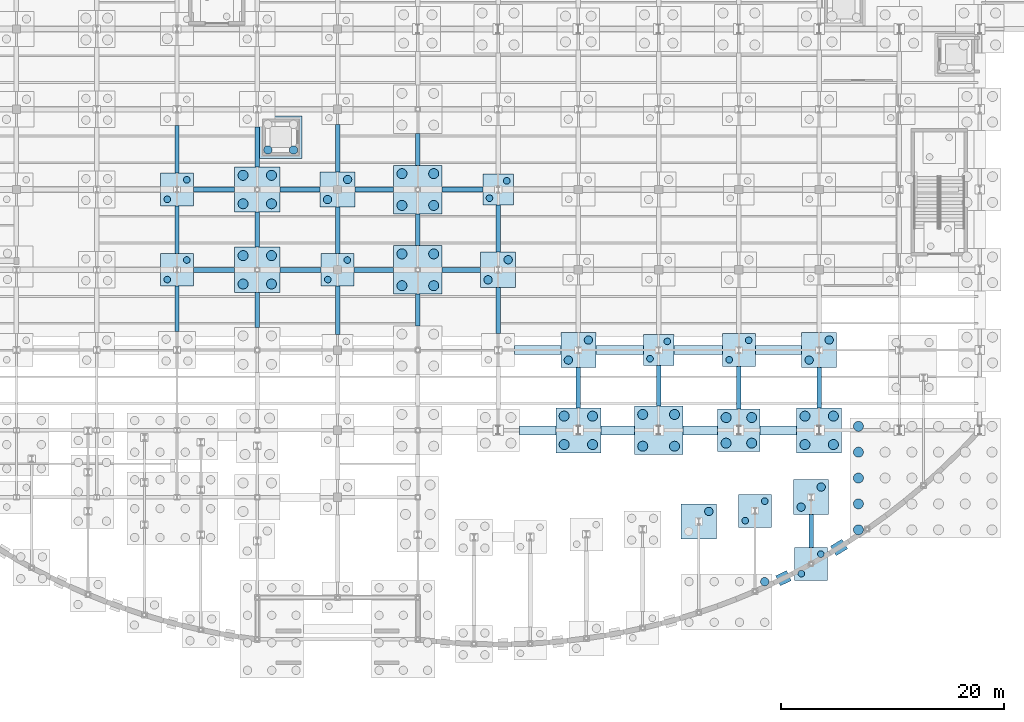
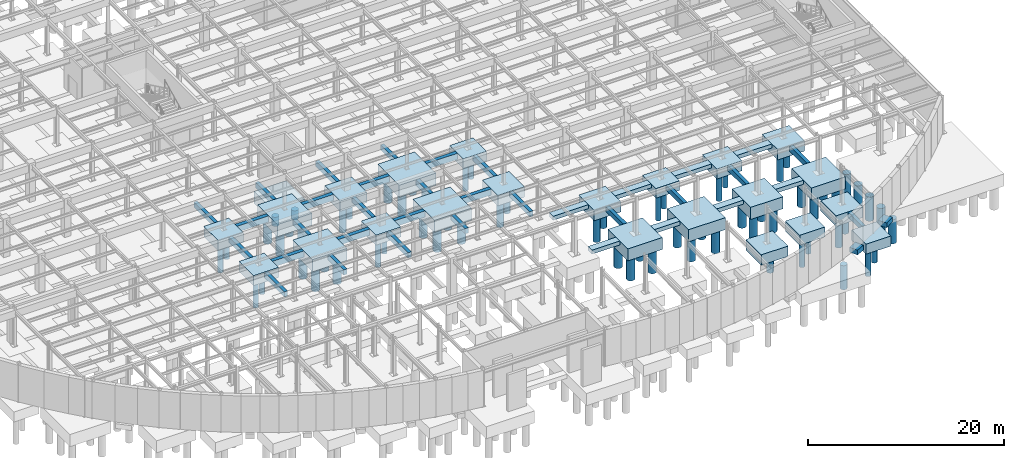
# One storey, part 5 of 64: 67 piles, 60 footings.
"""IFC4 building model written with IfcOpenShell, lengths in metres."""

from ifc_helpers import new_model, si_unit, direction, frame, origin, origin_2d, place, context, subcontext, project, spatial, rectangle, circle, extrude, material, material_profile, profile_set, type_object, element, save


model = new_model("IFC4")

# Units and contexts
model_context = context("Model", 3, precision=1e-05, world=origin(), true_north=direction((0.0, 1.0)))
body_context = subcontext(model_context, "Body", "Model", "MODEL_VIEW")
ifc_project = project(units=[si_unit("LENGTHUNIT", "METRE"), si_unit("AREAUNIT", "SQUARE_METRE"), si_unit("VOLUMEUNIT", "CUBIC_METRE"), si_unit("PLANEANGLEUNIT", "RADIAN"), si_unit("MASSUNIT", "GRAM", prefix="KILO")], contexts=[model_context])

# Site, building, storey
site_placement = place(None, origin())
site = spatial("IfcSite", under=ifc_project, at=site_placement, CompositionType="ELEMENT")
building_placement = place(site_placement, origin())
building = spatial("IfcBuilding", under=site, at=building_placement, Name="Solvadek Multi-Sports Hall", CompositionType="ELEMENT")
storey_placement = place(building_placement, frame((0.0, 0.0, -4.800048828125)))
storey = spatial("IfcBuildingStorey", under=building, at=storey_placement, Name="B1", CompositionType="ELEMENT", Elevation=-4.800048828125)

# Footings
ifc_material_1 = material(Name="Concrete M40", Category="concrete")
footing_type_1 = type_object("IfcFootingType", Name="STR-CAP-275X275X120", PredefinedType="PILE_CAP", material=ifc_material_1)
for number, where, z_axis, x_axis, name in (
    (1, (108.0, 13.199951171875, -1.19970703125), (0.0, 0.0, 1.0), (1.0, 0.0, 0.0), "Pile Cap PC-02 #58"),
    (2, (93.60009765625, 27.60009765625, -1.19970703125), (0.0, 0.0, 1.0), (1.0, 0.0, 0.0), "Pile Cap PC-02 #97"),
):
    element("IfcFooting", number, at=place(storey_placement, frame(where, z_axis=z_axis, x_axis=x_axis)), inside=storey, type_object=footing_type_1, Name=name, PredefinedType="PILE_CAP", context=body_context, shape_type="SweptSolid", body=[
        extrude(rectangle(XDim=2.75, YDim=2.75, at=origin_2d()), origin(), (0.0, 0.0, 1.0), 1.199951171875),
    ])
footing_type_2 = type_object("IfcFootingType", Name="STR-CAP-295X295X125", PredefinedType="PILE_CAP", material=ifc_material_1)
for number, where, z_axis, x_axis, name in (
    (3, (121.679931640625, -5.97802734375, -1.25), (0.0, 0.0, 1.0), (1.0, 0.0, 0.0), "Pile Cap PC-14 #13"),
    (4, (116.639892578125, -1.22265625, -1.25), (0.0, 0.0, 1.0), (1.0, 0.0, 0.0), "Pile Cap PC-14 #25"),
    (5, (115.199951171875, 13.199951171875, -1.25), (0.0, 0.0, 1.0), (1.0, 0.0, 0.0), "Pile Cap PC-14 #59"),
    (6, (64.800048828125, 20.39990234375, -1.25), (0.0, 0.0, 1.0), (1.0, 0.0, 0.0), "Pile Cap PC-14 #73"),
    (7, (79.199951171875, 20.39990234375, -1.25), (0.0, 0.0, 1.0), (1.0, 0.0, 0.0), "Pile Cap PC-14 #74"),
    (8, (64.800048828125, 27.60009765625, -1.25), (0.0, 0.0, 1.0), (1.0, 0.0, 0.0), "Pile Cap PC-14 #91"),
):
    element("IfcFooting", number, at=place(storey_placement, frame(where, z_axis=z_axis, x_axis=x_axis)), inside=storey, type_object=footing_type_2, Name=name, PredefinedType="PILE_CAP", context=body_context, shape_type="SweptSolid", body=[
        extrude(rectangle(XDim=2.949951171875, YDim=2.949951171875, at=origin_2d()), origin(), (0.0, 0.0, 1.0), 1.25),
    ])
footing_type_3 = type_object("IfcFootingType", Name="STR-CAP-315X315X130", PredefinedType="PILE_CAP", material=ifc_material_1)
for number, where, z_axis, x_axis, name in (
    (9, (111.60009765625, -2.17333984375, -1.2998046875), (0.0, 0.0, 1.0), (1.0, 0.0, 0.0), "Pile Cap PC-15 #23"),
    (10, (121.679931640625, 0.010986328125, -1.2998046875), (0.0, 0.0, 1.0), (1.0, 0.0, 0.0), "Pile Cap PC-15 #29"),
    (11, (100.800048828125, 13.199951171875, -1.2998046875), (0.0, 0.0, 1.0), (1.0, 0.0, 0.0), "Pile Cap PC-15 #57"),
    (12, (122.39990234375, 13.199951171875, -1.2998046875), (0.0, 0.0, 1.0), (1.0, 0.0, 0.0), "Pile Cap PC-15 #60"),
    (13, (93.60009765625, 20.39990234375, -1.2998046875), (0.0, 0.0, 1.0), (1.0, 0.0, 0.0), "Pile Cap PC-15 #75"),
    (14, (79.199951171875, 27.60009765625, -1.2998046875), (0.0, 0.0, 1.0), (1.0, 0.0, 0.0), "Pile Cap PC-15 #96"),
):
    element("IfcFooting", number, at=place(storey_placement, frame(where, z_axis=z_axis, x_axis=x_axis)), inside=storey, type_object=footing_type_3, Name=name, PredefinedType="PILE_CAP", context=body_context, shape_type="SweptSolid", body=[
        extrude(rectangle(XDim=3.14990234375, YDim=3.14990234375, at=origin_2d()), origin(), (0.0, 0.0, 1.0), 1.300048828125),
    ])
footing_type_4 = type_object("IfcFootingType", Name="STR-CAP-380X380X150", PredefinedType="PILE_CAP", material=ifc_material_1)
for number, where, z_axis, x_axis, name in (
    (15, (115.199951171875, 6.0, -1.5), (0.0, 0.0, 1.0), (1.0, 0.0, 0.0), "Pile Cap PC-06 #40"),
    (16, (74.10009765625, 32.300048828125, -3.349853515625), (0.0, 0.0, 1.0), (1.0, 0.0, 0.0), "Lift Pit Pile Cap #297"),
):
    element("IfcFooting", number, at=place(storey_placement, frame(where, z_axis=z_axis, x_axis=x_axis)), inside=storey, type_object=footing_type_4, Name=name, PredefinedType="PILE_CAP", context=body_context, shape_type="SweptSolid", body=[
        extrude(rectangle(XDim=3.800048828125, YDim=3.800048828125, at=origin_2d()), origin(), (0.0, 0.0, 1.0), 1.5),
    ])
footing_type_5 = type_object("IfcFootingType", Name="STR-CAP-405X405X150", PredefinedType="PILE_CAP", material=ifc_material_1)
for number, where, z_axis, x_axis, name in (
    (17, (100.800048828125, 6.0, -1.5), (0.0, 0.0, 1.0), (1.0, 0.0, 0.0), "Pile Cap PC-17 #38"),
    (18, (122.39990234375, 6.0, -1.5), (0.0, 0.0, 1.0), (1.0, 0.0, 0.0), "Pile Cap PC-17 #41"),
    (19, (72.0, 20.39990234375, -1.5), (0.0, 0.0, 1.0), (1.0, 0.0, 0.0), "Pile Cap PC-17 #62"),
    (20, (72.0, 27.60009765625, -1.5), (0.0, 0.0, 1.0), (1.0, 0.0, 0.0), "Pile Cap PC-17 #83"),
):
    element("IfcFooting", number, at=place(storey_placement, frame(where, z_axis=z_axis, x_axis=x_axis)), inside=storey, type_object=footing_type_5, Name=name, PredefinedType="PILE_CAP", context=body_context, shape_type="SweptSolid", body=[
        extrude(rectangle(XDim=4.050048828125, YDim=4.050048828125, at=origin_2d()), origin(), (0.0, 0.0, 1.0), 1.5),
    ])
footing_type_6 = type_object("IfcFootingType", Name="STR-CAP-435X435X150", PredefinedType="PILE_CAP", material=ifc_material_1)
for number, where, z_axis, x_axis, name in (
    (21, (108.0, 6.0, -1.5), (0.0, 0.0, 1.0), (1.0, 0.0, 0.0), "Pile Cap PC-18 #39"),
    (22, (86.39990234375, 20.39990234375, -1.5), (0.0, 0.0, 1.0), (1.0, 0.0, 0.0), "Pile Cap PC-18 #63"),
    (23, (86.39990234375, 27.60009765625, -1.5), (0.0, 0.0, 1.0), (1.0, 0.0, 0.0), "Pile Cap PC-18 #84"),
):
    element("IfcFooting", number, at=place(storey_placement, frame(where, z_axis=z_axis, x_axis=x_axis)), inside=storey, type_object=footing_type_6, Name=name, PredefinedType="PILE_CAP", context=body_context, shape_type="SweptSolid", body=[
        extrude(rectangle(XDim=4.35009765625, YDim=4.35009765625, at=origin_2d()), origin(), (0.0, 0.0, 1.0), 1.5),
    ])
footing_type_7 = type_object("IfcFootingType", Name="STR-FTB-400X650", PredefinedType="FOOTING_BEAM", material=ifc_material_1)
footing_1_placement = place(storey_placement, frame((64.800048828125, 16.887451171875, -0.64990234375), z_axis=(0.0, 0.0, 1.0), x_axis=(0.0, 1.0, 0.0)))
element("IfcFooting", 24, at=footing_1_placement, inside=storey, type_object=footing_type_7, Name="Foundation Beam FB-01 #316", PredefinedType="FOOTING_BEAM", context=body_context, shape_type="SweptSolid", body=[
    extrude(rectangle(XDim=4.074951171875, YDim=0.39990234375, at=origin_2d()), origin(), (0.0, 0.0, 1.0), 0.64990234375),
])
for number, where, z_axis, x_axis, name in (
    (25, (64.800048828125, 24.0, -0.64990234375), (0.0, 0.0, 1.0), (0.0, 1.0, 0.0), "Foundation Beam FB-01 #317"),
    (26, (64.800048828125, 31.199951171875, -0.64990234375), (0.0, 0.0, 1.0), (0.0, 1.0, 0.0), "Foundation Beam FB-01 #318"),
):
    element("IfcFooting", number, at=place(storey_placement, frame(where, z_axis=z_axis, x_axis=x_axis)), inside=storey, type_object=footing_type_7, Name=name, PredefinedType="FOOTING_BEAM", context=body_context, shape_type="SweptSolid", body=[
        extrude(rectangle(XDim=4.25, YDim=0.39990234375, at=origin_2d()), origin(), (0.0, 0.0, 1.0), 0.64990234375),
    ])
for number, where, z_axis, x_axis, name in (
    (27, (72.0, 16.800048828125, -0.64990234375), (0.0, 0.0, 1.0), (0.0, 1.0, 0.0), "Foundation Beam FB-01 #328"),
    (28, (72.0, 24.0, -0.64990234375), (0.0, 0.0, 1.0), (0.0, 1.0, 0.0), "Foundation Beam FB-01 #329"),
):
    element("IfcFooting", number, at=place(storey_placement, frame(where, z_axis=z_axis, x_axis=x_axis)), inside=storey, type_object=footing_type_7, Name=name, PredefinedType="FOOTING_BEAM", context=body_context, shape_type="SweptSolid", body=[
        extrude(rectangle(XDim=3.14990234375, YDim=0.39990234375, at=origin_2d()), origin(), (0.0, 0.0, 1.0), 0.64990234375),
    ])
footing_2_placement = place(storey_placement, frame((72.0, 31.425048828125, -0.64990234375), z_axis=(0.0, 0.0, 1.0), x_axis=(0.0, 1.0, 0.0)))
element("IfcFooting", 29, at=footing_2_placement, inside=storey, type_object=footing_type_7, Name="Foundation Beam FB-01 #330", PredefinedType="FOOTING_BEAM", context=body_context, shape_type="SweptSolid", body=[
    extrude(rectangle(XDim=3.60009765625, YDim=0.39990234375, at=origin_2d()), origin(), (0.0, 0.0, 1.0), 0.64990234375),
])
footing_3_placement = place(storey_placement, frame((79.199951171875, 16.75, -0.64990234375), z_axis=(0.0, 0.0, 1.0), x_axis=(0.0, 1.0, 0.0)))
element("IfcFooting", 30, at=footing_3_placement, inside=storey, type_object=footing_type_7, Name="Foundation Beam FB-01 #344", PredefinedType="FOOTING_BEAM", context=body_context, shape_type="SweptSolid", body=[
    extrude(rectangle(XDim=4.35009765625, YDim=0.39990234375, at=origin_2d()), origin(), (0.0, 0.0, 1.0), 0.64990234375),
])
footing_4_placement = place(storey_placement, frame((79.199951171875, 23.949951171875, -0.64990234375), z_axis=(0.0, 0.0, 1.0), x_axis=(0.0, 1.0, 0.0)))
element("IfcFooting", 31, at=footing_4_placement, inside=storey, type_object=footing_type_7, Name="Foundation Beam FB-01 #345", PredefinedType="FOOTING_BEAM", context=body_context, shape_type="SweptSolid", body=[
    extrude(rectangle(XDim=4.14990234375, YDim=0.39990234375, at=origin_2d()), origin(), (0.0, 0.0, 1.0), 0.64990234375),
])
footing_5_placement = place(storey_placement, frame((79.199951171875, 31.300048828125, -0.64990234375), z_axis=(0.0, 0.0, 1.0), x_axis=(0.0, 1.0, 0.0)))
element("IfcFooting", 32, at=footing_5_placement, inside=storey, type_object=footing_type_7, Name="Foundation Beam FB-01 #346", PredefinedType="FOOTING_BEAM", context=body_context, shape_type="SweptSolid", body=[
    extrude(rectangle(XDim=4.25, YDim=0.39990234375, at=origin_2d()), origin(), (0.0, 0.0, 1.0), 0.64990234375),
])
for number, where, z_axis, x_axis, name in (
    (33, (86.39990234375, 16.800048828125, -0.64990234375), (0.0, 0.0, 1.0), (0.0, 1.0, 0.0), "Foundation Beam FB-01 #357"),
    (34, (86.39990234375, 24.0, -0.64990234375), (0.0, 0.0, 1.0), (0.0, 1.0, 0.0), "Foundation Beam FB-01 #358"),
    (35, (86.39990234375, 31.199951171875, -0.64990234375), (0.0, 0.0, 1.0), (0.0, 1.0, 0.0), "Foundation Beam FB-01 #359"),
):
    element("IfcFooting", number, at=place(storey_placement, frame(where, z_axis=z_axis, x_axis=x_axis)), inside=storey, type_object=footing_type_7, Name=name, PredefinedType="FOOTING_BEAM", context=body_context, shape_type="SweptSolid", body=[
        extrude(rectangle(XDim=2.85009765625, YDim=0.39990234375, at=origin_2d()), origin(), (0.0, 0.0, 1.0), 0.64990234375),
    ])
footing_6_placement = place(storey_placement, frame((93.60009765625, 16.75, -0.64990234375), z_axis=(0.0, 0.0, 1.0), x_axis=(0.0, 1.0, 0.0)))
element("IfcFooting", 36, at=footing_6_placement, inside=storey, type_object=footing_type_7, Name="Foundation Beam FB-01 #372", PredefinedType="FOOTING_BEAM", context=body_context, shape_type="SweptSolid", body=[
    extrude(rectangle(XDim=4.14990234375, YDim=0.39990234375, at=origin_2d()), origin(), (0.0, 0.0, 1.0), 0.64990234375),
])
footing_7_placement = place(storey_placement, frame((93.60009765625, 24.10009765625, -0.64990234375), z_axis=(0.0, 0.0, 1.0), x_axis=(0.0, 1.0, 0.0)))
element("IfcFooting", 37, at=footing_7_placement, inside=storey, type_object=footing_type_7, Name="Foundation Beam FB-01 #373", PredefinedType="FOOTING_BEAM", context=body_context, shape_type="SweptSolid", body=[
    extrude(rectangle(XDim=4.25, YDim=0.39990234375, at=origin_2d()), origin(), (0.0, 0.0, 1.0), 0.64990234375),
])
footing_8_placement = place(storey_placement, frame((100.800048828125, 9.824951171875, -0.64990234375), z_axis=(0.0, 0.0, 1.0), x_axis=(0.0, 1.0, 0.0)))
element("IfcFooting", 38, at=footing_8_placement, inside=storey, type_object=footing_type_7, Name="Foundation Beam FB-01 #379", PredefinedType="FOOTING_BEAM", context=body_context, shape_type="SweptSolid", body=[
    extrude(rectangle(XDim=3.60009765625, YDim=0.39990234375, at=origin_2d()), origin(), (0.0, 0.0, 1.0), 0.64990234375),
])
footing_9_placement = place(storey_placement, frame((108.0, 10.0, -0.64990234375), z_axis=(0.0, 0.0, 1.0), x_axis=(0.0, 1.0, 0.0)))
element("IfcFooting", 39, at=footing_9_placement, inside=storey, type_object=footing_type_7, Name="Foundation Beam FB-01 #388", PredefinedType="FOOTING_BEAM", context=body_context, shape_type="SweptSolid", body=[
    extrude(rectangle(XDim=3.64990234375, YDim=0.39990234375, at=origin_2d()), origin(), (0.0, 0.0, 1.0), 0.64990234375),
])
footing_10_placement = place(storey_placement, frame((115.199951171875, 9.8125, -0.64990234375), z_axis=(0.0, 0.0, 1.0), x_axis=(0.0, 1.0, 0.0)))
element("IfcFooting", 40, at=footing_10_placement, inside=storey, type_object=footing_type_7, Name="Foundation Beam FB-01 #395", PredefinedType="FOOTING_BEAM", context=body_context, shape_type="SweptSolid", body=[
    extrude(rectangle(XDim=3.824951171875, YDim=0.39990234375, at=origin_2d()), origin(), (0.0, 0.0, 1.0), 0.64990234375),
])
footing_11_placement = place(storey_placement, frame((121.679931640625, -3.033447265625, -0.64990234375), z_axis=(0.0, 0.0, 1.0), x_axis=(0.0, 1.0, 0.0)))
element("IfcFooting", 41, at=footing_11_placement, inside=storey, type_object=footing_type_7, Name="Foundation Beam FB-01 #402", PredefinedType="FOOTING_BEAM", context=body_context, shape_type="SweptSolid", body=[
    extrude(rectangle(XDim=2.93896484375, YDim=0.39990234375, at=origin_2d()), origin(), (0.0, 0.0, 1.0), 0.64990234375),
])
footing_12_placement = place(storey_placement, frame((122.39990234375, 9.824951171875, -0.64990234375), z_axis=(0.0, 0.0, 1.0), x_axis=(0.0, 1.0, 0.0)))
element("IfcFooting", 42, at=footing_12_placement, inside=storey, type_object=footing_type_7, Name="Foundation Beam FB-01 #403", PredefinedType="FOOTING_BEAM", context=body_context, shape_type="SweptSolid", body=[
    extrude(rectangle(XDim=3.60009765625, YDim=0.39990234375, at=origin_2d()), origin(), (0.0, 0.0, 1.0), 0.64990234375),
])
footing_type_8 = type_object("IfcFootingType", Name="STR-FTB-450X750", PredefinedType="FOOTING_BEAM", material=ifc_material_1)
for number, where, z_axis, x_axis, name in (
    (43, (68.125, 20.39990234375, -0.75), (0.0, 0.0, 1.0), (1.0, 0.0, 0.0), "Foundation Beam FB-02 #27"),
    (44, (75.875, 20.39990234375, -0.75), (0.0, 0.0, 1.0), (1.0, 0.0, 0.0), "Foundation Beam FB-02 #28"),
):
    element("IfcFooting", number, at=place(storey_placement, frame(where, z_axis=z_axis, x_axis=x_axis)), inside=storey, type_object=footing_type_8, Name=name, PredefinedType="FOOTING_BEAM", context=body_context, shape_type="SweptSolid", body=[
        extrude(rectangle(XDim=3.699951171875, YDim=0.449951171875, at=origin_2d()), origin(), (0.0, 0.0, 1.0), 0.75),
    ])
footing_13_placement = place(storey_placement, frame((82.449951171875, 20.39990234375, -0.75), z_axis=(0.0, 0.0, 1.0), x_axis=(1.0, 0.0, 0.0)))
element("IfcFooting", 45, at=footing_13_placement, inside=storey, type_object=footing_type_8, Name="Foundation Beam FB-02 #29", PredefinedType="FOOTING_BEAM", context=body_context, shape_type="SweptSolid", body=[
    extrude(rectangle(XDim=3.550048828125, YDim=0.449951171875, at=origin_2d()), origin(), (0.0, 0.0, 1.0), 0.75),
])
footing_14_placement = place(storey_placement, frame((90.300048828125, 20.39990234375, -0.75), z_axis=(0.0, 0.0, 1.0), x_axis=(1.0, 0.0, 0.0)))
element("IfcFooting", 46, at=footing_14_placement, inside=storey, type_object=footing_type_8, Name="Foundation Beam FB-02 #30", PredefinedType="FOOTING_BEAM", context=body_context, shape_type="SweptSolid", body=[
    extrude(rectangle(XDim=3.449951171875, YDim=0.449951171875, at=origin_2d()), origin(), (0.0, 0.0, 1.0), 0.75),
])
footing_15_placement = place(storey_placement, frame((68.125, 27.60009765625, -0.75), z_axis=(0.0, 0.0, 1.0), x_axis=(1.0, 0.0, 0.0)))
element("IfcFooting", 47, at=footing_15_placement, inside=storey, type_object=footing_type_8, Name="Foundation Beam FB-02 #48", PredefinedType="FOOTING_BEAM", context=body_context, shape_type="SweptSolid", body=[
    extrude(rectangle(XDim=3.699951171875, YDim=0.449951171875, at=origin_2d()), origin(), (0.0, 0.0, 1.0), 0.75),
])
footing_16_placement = place(storey_placement, frame((75.824951171875, 27.60009765625, -0.75), z_axis=(0.0, 0.0, 1.0), x_axis=(1.0, 0.0, 0.0)))
element("IfcFooting", 48, at=footing_16_placement, inside=storey, type_object=footing_type_8, Name="Foundation Beam FB-02 #49", PredefinedType="FOOTING_BEAM", context=body_context, shape_type="SweptSolid", body=[
    extrude(rectangle(XDim=3.60009765625, YDim=0.449951171875, at=origin_2d()), origin(), (0.0, 0.0, 1.0), 0.75),
])
footing_17_placement = place(storey_placement, frame((82.5, 27.60009765625, -0.75), z_axis=(0.0, 0.0, 1.0), x_axis=(1.0, 0.0, 0.0)))
element("IfcFooting", 49, at=footing_17_placement, inside=storey, type_object=footing_type_8, Name="Foundation Beam FB-02 #50", PredefinedType="FOOTING_BEAM", context=body_context, shape_type="SweptSolid", body=[
    extrude(rectangle(XDim=3.449951171875, YDim=0.449951171875, at=origin_2d()), origin(), (0.0, 0.0, 1.0), 0.75),
])
footing_18_placement = place(storey_placement, frame((90.39990234375, 27.60009765625, -0.75), z_axis=(0.0, 0.0, 1.0), x_axis=(1.0, 0.0, 0.0)))
element("IfcFooting", 50, at=footing_18_placement, inside=storey, type_object=footing_type_8, Name="Foundation Beam FB-02 #51", PredefinedType="FOOTING_BEAM", context=body_context, shape_type="SweptSolid", body=[
    extrude(rectangle(XDim=3.64990234375, YDim=0.449951171875, at=origin_2d()), origin(), (0.0, 0.0, 1.0), 0.75),
])

# Piles
ifc_material_2 = material(Name="Concrete M35", Category="concrete")
ifc_material_profile_1 = material_profile(ifc_material_2, circle(Radius=0.300048828125, at=origin_2d()), Name="BORED PILE D600")
ifc_profile_set_1 = profile_set([ifc_material_profile_1], Name="Concrete M35")
pile_type_1 = type_object("IfcPileType", Name="STR-PILE-D600", PredefinedType="BORED", material=ifc_profile_set_1)
for number, where, z_axis, x_axis, name in (
    (51, (120.804931640625, -6.85302734375, -1.14990234375), (0.0, 0.0, -1.0), (1.0, 0.0, 0.0), "Bored Pile PL-600 #57"),
    (52, (122.554931640625, -5.10302734375, -1.14990234375), (0.0, 0.0, -1.0), (1.0, 0.0, 0.0), "Bored Pile PL-600 #58"),
    (53, (115.764892578125, -2.09765625, -1.14990234375), (0.0, 0.0, -1.0), (1.0, 0.0, 0.0), "Bored Pile PL-600 #131"),
    (54, (117.514892578125, -0.34765625, -1.14990234375), (0.0, 0.0, -1.0), (1.0, 0.0, 0.0), "Bored Pile PL-600 #132"),
):
    element("IfcPile", number, at=place(storey_placement, frame(where, z_axis=z_axis, x_axis=x_axis)), inside=storey, type_object=pile_type_1, Name=name, PredefinedType="BORED", context=body_context, shape_type="SweptSolid", body=[
        extrude(circle(Radius=0.300048828125, at=origin_2d()), origin(), (0.0, 0.0, 1.0), 3.25),
    ])
for number, where, z_axis, x_axis, name in (
    (55, (107.22509765625, 12.425048828125, -1.099853515625), (0.0, 0.0, -1.0), (1.0, 0.0, 0.0), "Bored Pile PL-600 #242"),
    (56, (108.77490234375, 13.97509765625, -1.099853515625), (0.0, 0.0, -1.0), (1.0, 0.0, 0.0), "Bored Pile PL-600 #243"),
):
    element("IfcPile", number, at=place(storey_placement, frame(where, z_axis=z_axis, x_axis=x_axis)), inside=storey, type_object=pile_type_1, Name=name, PredefinedType="BORED", context=body_context, shape_type="SweptSolid", body=[
        extrude(circle(Radius=0.300048828125, at=origin_2d()), origin(), (0.0, 0.0, 1.0), 3.300048828125),
    ])
for number, where, z_axis, x_axis, name in (
    (57, (114.324951171875, 12.324951171875, -1.14990234375), (0.0, 0.0, -1.0), (1.0, 0.0, 0.0), "Bored Pile PL-600 #244"),
    (58, (116.074951171875, 14.074951171875, -1.14990234375), (0.0, 0.0, -1.0), (1.0, 0.0, 0.0), "Bored Pile PL-600 #245"),
    (59, (63.925048828125, 19.52490234375, -1.14990234375), (0.0, 0.0, -1.0), (1.0, 0.0, 0.0), "Bored Pile PL-600 #286"),
    (60, (65.675048828125, 21.27490234375, -1.14990234375), (0.0, 0.0, -1.0), (1.0, 0.0, 0.0), "Bored Pile PL-600 #287"),
    (61, (78.324951171875, 19.52490234375, -1.14990234375), (0.0, 0.0, -1.0), (1.0, 0.0, 0.0), "Bored Pile PL-600 #288"),
    (62, (80.074951171875, 21.27490234375, -1.14990234375), (0.0, 0.0, -1.0), (1.0, 0.0, 0.0), "Bored Pile PL-600 #289"),
    (63, (63.925048828125, 26.72509765625, -1.14990234375), (0.0, 0.0, -1.0), (1.0, 0.0, 0.0), "Bored Pile PL-600 #332"),
    (64, (65.675048828125, 28.47509765625, -1.14990234375), (0.0, 0.0, -1.0), (1.0, 0.0, 0.0), "Bored Pile PL-600 #333"),
):
    element("IfcPile", number, at=place(storey_placement, frame(where, z_axis=z_axis, x_axis=x_axis)), inside=storey, type_object=pile_type_1, Name=name, PredefinedType="BORED", context=body_context, shape_type="SweptSolid", body=[
        extrude(circle(Radius=0.300048828125, at=origin_2d()), origin(), (0.0, 0.0, 1.0), 3.25),
    ])
for number, where, z_axis, x_axis, name in (
    (65, (92.824951171875, 26.824951171875, -1.099853515625), (0.0, 0.0, -1.0), (1.0, 0.0, 0.0), "Bored Pile PL-600 #344"),
    (66, (94.375, 28.375, -1.099853515625), (0.0, 0.0, -1.0), (1.0, 0.0, 0.0), "Bored Pile PL-600 #345"),
):
    element("IfcPile", number, at=place(storey_placement, frame(where, z_axis=z_axis, x_axis=x_axis)), inside=storey, type_object=pile_type_1, Name=name, PredefinedType="BORED", context=body_context, shape_type="SweptSolid", body=[
        extrude(circle(Radius=0.300048828125, at=origin_2d()), origin(), (0.0, 0.0, 1.0), 3.300048828125),
    ])
ifc_material_profile_2 = material_profile(ifc_material_2, circle(Radius=0.375, at=origin_2d()), Name="BORED PILE D750")
ifc_profile_set_2 = profile_set([ifc_material_profile_2], Name="Concrete M35")
pile_type_2 = type_object("IfcPileType", Name="STR-PILE-D750", PredefinedType="BORED", material=ifc_profile_set_2)
pile_placement = place(storey_placement, frame((117.514892578125, -7.57080078125, -1.39990234375), z_axis=(0.0, 0.0, -1.0), x_axis=(1.0, 0.0, 0.0)))
element("IfcPile", 67, at=pile_placement, inside=storey, type_object=pile_type_2, Name="Bored Pile PL-750 #48", PredefinedType="BORED", context=body_context, shape_type="SweptSolid", body=[
    extrude(circle(Radius=0.375, at=origin_2d()), origin(), (0.0, 0.0, 1.0), 3.0),
])
for number, where, z_axis, x_axis, name in (
    (68, (112.5, -1.273193359375, -1.199951171875), (0.0, 0.0, -1.0), (1.0, 0.0, 0.0), "Bored Pile PL-750 #124"),
    (69, (120.780029296875, -0.888916015625, -1.199951171875), (0.0, 0.0, -1.0), (1.0, 0.0, 0.0), "Bored Pile PL-750 #142"),
    (70, (122.580078125, 0.910888671875, -1.199951171875), (0.0, 0.0, -1.0), (1.0, 0.0, 0.0), "Bored Pile PL-750 #143"),
    (71, (99.89990234375, 12.300048828125, -1.199951171875), (0.0, 0.0, -1.0), (1.0, 0.0, 0.0), "Bored Pile PL-750 #240"),
    (72, (101.699951171875, 14.10009765625, -1.199951171875), (0.0, 0.0, -1.0), (1.0, 0.0, 0.0), "Bored Pile PL-750 #241"),
    (73, (121.5, 12.300048828125, -1.199951171875), (0.0, 0.0, -1.0), (1.0, 0.0, 0.0), "Bored Pile PL-750 #246"),
    (74, (123.300048828125, 14.10009765625, -1.199951171875), (0.0, 0.0, -1.0), (1.0, 0.0, 0.0), "Bored Pile PL-750 #247"),
    (75, (92.699951171875, 19.5, -1.199951171875), (0.0, 0.0, -1.0), (1.0, 0.0, 0.0), "Bored Pile PL-750 #290"),
    (76, (94.5, 21.300048828125, -1.199951171875), (0.0, 0.0, -1.0), (1.0, 0.0, 0.0), "Bored Pile PL-750 #291"),
    (77, (78.300048828125, 26.699951171875, -1.199951171875), (0.0, 0.0, -1.0), (1.0, 0.0, 0.0), "Bored Pile PL-750 #342"),
    (78, (80.10009765625, 28.5, -1.199951171875), (0.0, 0.0, -1.0), (1.0, 0.0, 0.0), "Bored Pile PL-750 #343"),
):
    element("IfcPile", number, at=place(storey_placement, frame(where, z_axis=z_axis, x_axis=x_axis)), inside=storey, type_object=pile_type_2, Name=name, PredefinedType="BORED", context=body_context, shape_type="SweptSolid", body=[
        extrude(circle(Radius=0.375, at=origin_2d()), origin(), (0.0, 0.0, 1.0), 3.199951171875),
    ])
for number, where, z_axis, x_axis, name in (
    (79, (72.949951171875, 31.14990234375, -3.25), (0.0, 0.0, -1.0), (1.0, 0.0, 0.0), "Lift Pit Bored Pile PL-750 #924"),
    (80, (75.25, 31.14990234375, -3.25), (0.0, 0.0, -1.0), (1.0, 0.0, 0.0), "Lift Pit Bored Pile PL-750 #925"),
):
    element("IfcPile", number, at=place(storey_placement, frame(where, z_axis=z_axis, x_axis=x_axis)), inside=storey, type_object=pile_type_2, Name=name, PredefinedType="BORED", context=body_context, shape_type="SweptSolid", body=[
        extrude(circle(Radius=0.375, at=origin_2d()), origin(), (0.0, 0.0, 1.0), 1.14990234375),
    ])
ifc_material_profile_3 = material_profile(ifc_material_2, circle(Radius=0.449951171875, at=origin_2d()), Name="BORED PILE D900")
ifc_profile_set_3 = profile_set([ifc_material_profile_3], Name="Concrete M35")
pile_type_3 = type_object("IfcPileType", Name="STR-PILE-D900", PredefinedType="BORED", material=ifc_profile_set_3)
for number, where, z_axis, x_axis, name in (
    (81, (125.919921875, -2.918701171875, -1.39990234375), (0.0, 0.0, -1.0), (1.0, 0.0, 0.0), "Bored Pile PL-900 #93"),
    (82, (125.919921875, -0.5986328125, -1.39990234375), (0.0, 0.0, -1.0), (1.0, 0.0, 0.0), "Bored Pile PL-900 #94"),
    (83, (125.919921875, 1.721435546875, -1.39990234375), (0.0, 0.0, -1.0), (1.0, 0.0, 0.0), "Bored Pile PL-900 #95"),
    (84, (125.919921875, 4.04150390625, -1.39990234375), (0.0, 0.0, -1.0), (1.0, 0.0, 0.0), "Bored Pile PL-900 #96"),
    (85, (125.919921875, 6.361328125, -1.39990234375), (0.0, 0.0, -1.0), (1.0, 0.0, 0.0), "Bored Pile PL-900 #97"),
    (86, (99.52490234375, 4.72509765625, -1.39990234375), (0.0, 0.0, -1.0), (1.0, 0.0, 0.0), "Bored Pile PL-900 #180"),
    (87, (99.52490234375, 7.27490234375, -1.39990234375), (0.0, 0.0, -1.0), (1.0, 0.0, 0.0), "Bored Pile PL-900 #181"),
    (88, (102.074951171875, 4.72509765625, -1.39990234375), (0.0, 0.0, -1.0), (1.0, 0.0, 0.0), "Bored Pile PL-900 #182"),
    (89, (102.074951171875, 7.27490234375, -1.39990234375), (0.0, 0.0, -1.0), (1.0, 0.0, 0.0), "Bored Pile PL-900 #183"),
    (90, (106.574951171875, 4.574951171875, -1.39990234375), (0.0, 0.0, -1.0), (1.0, 0.0, 0.0), "Bored Pile PL-900 #184"),
    (91, (106.574951171875, 7.425048828125, -1.39990234375), (0.0, 0.0, -1.0), (1.0, 0.0, 0.0), "Bored Pile PL-900 #185"),
    (92, (109.425048828125, 4.574951171875, -1.39990234375), (0.0, 0.0, -1.0), (1.0, 0.0, 0.0), "Bored Pile PL-900 #186"),
    (93, (109.425048828125, 7.425048828125, -1.39990234375), (0.0, 0.0, -1.0), (1.0, 0.0, 0.0), "Bored Pile PL-900 #187"),
    (94, (114.050048828125, 4.85009765625, -1.39990234375), (0.0, 0.0, -1.0), (1.0, 0.0, 0.0), "Bored Pile PL-900 #188"),
    (95, (114.050048828125, 7.14990234375, -1.39990234375), (0.0, 0.0, -1.0), (1.0, 0.0, 0.0), "Bored Pile PL-900 #189"),
    (96, (116.35009765625, 4.85009765625, -1.39990234375), (0.0, 0.0, -1.0), (1.0, 0.0, 0.0), "Bored Pile PL-900 #190"),
    (97, (116.35009765625, 7.14990234375, -1.39990234375), (0.0, 0.0, -1.0), (1.0, 0.0, 0.0), "Bored Pile PL-900 #191"),
    (98, (121.125, 4.72509765625, -1.39990234375), (0.0, 0.0, -1.0), (1.0, 0.0, 0.0), "Bored Pile PL-900 #192"),
    (99, (121.125, 7.27490234375, -1.39990234375), (0.0, 0.0, -1.0), (1.0, 0.0, 0.0), "Bored Pile PL-900 #193"),
    (100, (123.675048828125, 4.72509765625, -1.39990234375), (0.0, 0.0, -1.0), (1.0, 0.0, 0.0), "Bored Pile PL-900 #194"),
    (101, (123.675048828125, 7.27490234375, -1.39990234375), (0.0, 0.0, -1.0), (1.0, 0.0, 0.0), "Bored Pile PL-900 #195"),
    (102, (70.72509765625, 19.125, -1.39990234375), (0.0, 0.0, -1.0), (1.0, 0.0, 0.0), "Bored Pile PL-900 #254"),
    (103, (70.72509765625, 21.675048828125, -1.39990234375), (0.0, 0.0, -1.0), (1.0, 0.0, 0.0), "Bored Pile PL-900 #255"),
    (104, (73.27490234375, 19.125, -1.39990234375), (0.0, 0.0, -1.0), (1.0, 0.0, 0.0), "Bored Pile PL-900 #256"),
    (105, (73.27490234375, 21.675048828125, -1.39990234375), (0.0, 0.0, -1.0), (1.0, 0.0, 0.0), "Bored Pile PL-900 #257"),
    (106, (84.97509765625, 18.97509765625, -1.39990234375), (0.0, 0.0, -1.0), (1.0, 0.0, 0.0), "Bored Pile PL-900 #258"),
    (107, (84.97509765625, 21.824951171875, -1.39990234375), (0.0, 0.0, -1.0), (1.0, 0.0, 0.0), "Bored Pile PL-900 #259"),
    (108, (87.824951171875, 18.97509765625, -1.39990234375), (0.0, 0.0, -1.0), (1.0, 0.0, 0.0), "Bored Pile PL-900 #260"),
    (109, (87.824951171875, 21.824951171875, -1.39990234375), (0.0, 0.0, -1.0), (1.0, 0.0, 0.0), "Bored Pile PL-900 #261"),
    (110, (70.72509765625, 26.324951171875, -1.39990234375), (0.0, 0.0, -1.0), (1.0, 0.0, 0.0), "Bored Pile PL-900 #306"),
    (111, (70.72509765625, 28.875, -1.39990234375), (0.0, 0.0, -1.0), (1.0, 0.0, 0.0), "Bored Pile PL-900 #307"),
    (112, (73.27490234375, 26.324951171875, -1.39990234375), (0.0, 0.0, -1.0), (1.0, 0.0, 0.0), "Bored Pile PL-900 #308"),
    (113, (73.27490234375, 28.875, -1.39990234375), (0.0, 0.0, -1.0), (1.0, 0.0, 0.0), "Bored Pile PL-900 #309"),
    (114, (84.97509765625, 26.175048828125, -1.39990234375), (0.0, 0.0, -1.0), (1.0, 0.0, 0.0), "Bored Pile PL-900 #310"),
    (115, (84.97509765625, 29.02490234375, -1.39990234375), (0.0, 0.0, -1.0), (1.0, 0.0, 0.0), "Bored Pile PL-900 #311"),
    (116, (87.824951171875, 26.175048828125, -1.39990234375), (0.0, 0.0, -1.0), (1.0, 0.0, 0.0), "Bored Pile PL-900 #312"),
    (117, (87.824951171875, 29.02490234375, -1.39990234375), (0.0, 0.0, -1.0), (1.0, 0.0, 0.0), "Bored Pile PL-900 #313"),
):
    element("IfcPile", number, at=place(storey_placement, frame(where, z_axis=z_axis, x_axis=x_axis)), inside=storey, type_object=pile_type_3, Name=name, PredefinedType="BORED", context=body_context, shape_type="SweptSolid", body=[
        extrude(circle(Radius=0.449951171875, at=origin_2d()), origin(), (0.0, 0.0, 1.0), 3.0),
    ])

# Footings
footing_type_9 = type_object("IfcFootingType", Name="STR-SFT-1000X600", PredefinedType="STRIP_FOOTING", material=ifc_material_1)
footing_19_placement = place(storey_placement, frame((119.197509765625, -7.26025390625, -0.60009765625), z_axis=(0.0, 0.0, 1.0), x_axis=(0.898334492373, 0.439312121178, 0.0)))
element("IfcFooting", 118, at=footing_19_placement, inside=storey, type_object=footing_type_9, Name="Perimeter Retaining Wall Strip Footing #446", PredefinedType="STRIP_FOOTING", context=body_context, shape_type="SweptSolid", body=[
    extrude(rectangle(XDim=1.0849609375, YDim=1.0, at=origin_2d()), origin(), (0.0, 0.0, 1.0), 0.60009765625),
])
footing_20_placement = place(storey_placement, frame((124.1865234375, -4.5048828125, -0.60009765625), z_axis=(0.0, 0.0, 1.0), x_axis=(0.850627633385, 0.525768608156, 0.0)))
element("IfcFooting", 119, at=footing_20_placement, inside=storey, type_object=footing_type_9, Name="Perimeter Retaining Wall Strip Footing #447", PredefinedType="STRIP_FOOTING", context=body_context, shape_type="SweptSolid", body=[
    extrude(rectangle(XDim=1.202880859375, YDim=1.0, at=origin_2d()), origin(), (0.0, 0.0, 1.0), 0.60009765625),
])
footing_type_10 = type_object("IfcFootingType", Name="STR-SFT-800X500", PredefinedType="STRIP_FOOTING", material=ifc_material_1)
footing_21_placement = place(storey_placement, frame((97.137451171875, 6.0, -0.5), z_axis=(0.0, 0.0, 1.0), x_axis=(1.0, 0.0, 0.0)))
element("IfcFooting", 120, at=footing_21_placement, inside=storey, type_object=footing_type_10, Name="Foundation Beam SF-01 #7", PredefinedType="STRIP_FOOTING", context=body_context, shape_type="SweptSolid", body=[
    extrude(rectangle(XDim=3.27490234375, YDim=0.800048828125, at=origin_2d()), origin(), (0.0, 0.0, 1.0), 0.5),
])
footing_22_placement = place(storey_placement, frame((104.324951171875, 6.0, -0.5), z_axis=(0.0, 0.0, 1.0), x_axis=(1.0, 0.0, 0.0)))
element("IfcFooting", 121, at=footing_22_placement, inside=storey, type_object=footing_type_10, Name="Foundation Beam SF-01 #8", PredefinedType="STRIP_FOOTING", context=body_context, shape_type="SweptSolid", body=[
    extrude(rectangle(XDim=3.0, YDim=0.800048828125, at=origin_2d()), origin(), (0.0, 0.0, 1.0), 0.5),
])
footing_23_placement = place(storey_placement, frame((111.737548828125, 6.0, -0.5), z_axis=(0.0, 0.0, 1.0), x_axis=(1.0, 0.0, 0.0)))
element("IfcFooting", 122, at=footing_23_placement, inside=storey, type_object=footing_type_10, Name="Foundation Beam SF-01 #9", PredefinedType="STRIP_FOOTING", context=body_context, shape_type="SweptSolid", body=[
    extrude(rectangle(XDim=3.125, YDim=0.800048828125, at=origin_2d()), origin(), (0.0, 0.0, 1.0), 0.5),
])
footing_24_placement = place(storey_placement, frame((118.737548828125, 6.0, -0.5), z_axis=(0.0, 0.0, 1.0), x_axis=(1.0, 0.0, 0.0)))
element("IfcFooting", 123, at=footing_24_placement, inside=storey, type_object=footing_type_10, Name="Foundation Beam SF-01 #10", PredefinedType="STRIP_FOOTING", context=body_context, shape_type="SweptSolid", body=[
    extrude(rectangle(XDim=3.27490234375, YDim=0.800048828125, at=origin_2d()), origin(), (0.0, 0.0, 1.0), 0.5),
])
footing_25_placement = place(storey_placement, frame((97.14990234375, 13.199951171875, -0.5), z_axis=(0.0, 0.0, 1.0), x_axis=(1.0, 0.0, 0.0)))
element("IfcFooting", 124, at=footing_25_placement, inside=storey, type_object=footing_type_10, Name="Foundation Beam SF-01 #19", PredefinedType="STRIP_FOOTING", context=body_context, shape_type="SweptSolid", body=[
    extrude(rectangle(XDim=4.14990234375, YDim=0.800048828125, at=origin_2d()), origin(), (0.0, 0.0, 1.0), 0.5),
])
footing_26_placement = place(storey_placement, frame((104.5, 13.199951171875, -0.5), z_axis=(0.0, 0.0, 1.0), x_axis=(1.0, 0.0, 0.0)))
element("IfcFooting", 125, at=footing_26_placement, inside=storey, type_object=footing_type_10, Name="Foundation Beam SF-01 #20", PredefinedType="STRIP_FOOTING", context=body_context, shape_type="SweptSolid", body=[
    extrude(rectangle(XDim=4.25, YDim=0.800048828125, at=origin_2d()), origin(), (0.0, 0.0, 1.0), 0.5),
])
footing_27_placement = place(storey_placement, frame((111.550048828125, 13.199951171875, -0.5), z_axis=(0.0, 0.0, 1.0), x_axis=(1.0, 0.0, 0.0)))
element("IfcFooting", 126, at=footing_27_placement, inside=storey, type_object=footing_type_10, Name="Foundation Beam SF-01 #21", PredefinedType="STRIP_FOOTING", context=body_context, shape_type="SweptSolid", body=[
    extrude(rectangle(XDim=4.35009765625, YDim=0.800048828125, at=origin_2d()), origin(), (0.0, 0.0, 1.0), 0.5),
])
footing_28_placement = place(storey_placement, frame((118.75, 13.199951171875, -0.5), z_axis=(0.0, 0.0, 1.0), x_axis=(1.0, 0.0, 0.0)))
element("IfcFooting", 127, at=footing_28_placement, inside=storey, type_object=footing_type_10, Name="Foundation Beam SF-01 #22", PredefinedType="STRIP_FOOTING", context=body_context, shape_type="SweptSolid", body=[
    extrude(rectangle(XDim=4.14990234375, YDim=0.800048828125, at=origin_2d()), origin(), (0.0, 0.0, 1.0), 0.5),
])

save(model, "model.ifc")
